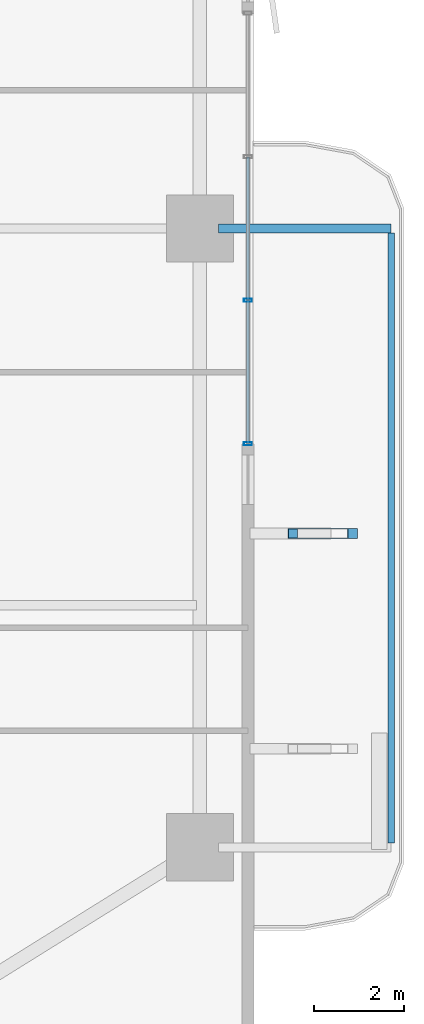
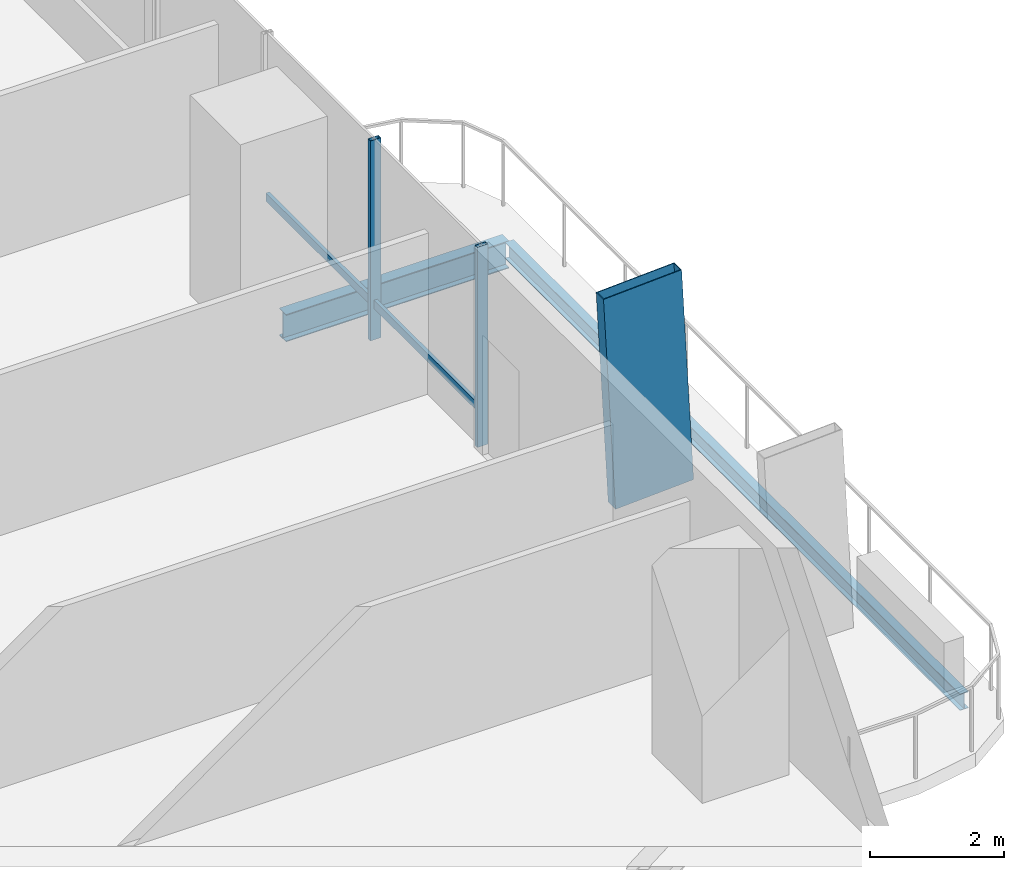
# One storey, part 8 of 23: 5 members, 2 beams, 1 element without a shape of its own.
"""IFC4 building model written with IfcOpenShell, lengths in metres."""

from ifc_helpers import new_model, si_unit, direction, frame, origin, origin_2d, place, context, subcontext, project, spatial, hollow_rectangle, i_section, extrude, material, layer, layer_set, material_profile, profile_set, type_object, element, aggregate, save


model = new_model("IFC4")

# Units and contexts
model_context = context("Model", 3, precision=1e-05, world=origin(), true_north=direction((0.0, 1.0)))
body_context = subcontext(model_context, "Body", "Model", "MODEL_VIEW")
ifc_project = project(units=[si_unit("LENGTHUNIT", "METRE"), si_unit("AREAUNIT", "SQUARE_METRE"), si_unit("VOLUMEUNIT", "CUBIC_METRE"), si_unit("PLANEANGLEUNIT", "RADIAN"), si_unit("MASSUNIT", "GRAM", prefix="KILO")], contexts=[model_context])

# Site, building, storey
site_placement = place(None, origin())
site = spatial("IfcSite", under=ifc_project, at=site_placement, CompositionType="ELEMENT")
building_placement = place(site_placement, origin())
building = spatial("IfcBuilding", under=site, at=building_placement, Name="Belovzor Exchange Tower", CompositionType="ELEMENT")
storey_placement = place(building_placement, frame((0.0, 0.0, 65.10009765625)))
storey = spatial("IfcBuildingStorey", under=building, at=storey_placement, Name="L15", CompositionType="ELEMENT", Elevation=65.10009765625)

# Member
ifc_material_1 = material(Name="Extruded Architectural Terracotta on Steel S355 Carrier", Category="masonry")
ifc_material_profile_1 = material_profile(ifc_material_1, hollow_rectangle(XDim=0.219970703125, YDim=1.35009765625, WallThickness=0.013916015625, at=origin_2d()))
ifc_profile_set_1 = profile_set([ifc_material_profile_1], Name="Extruded Architectural Terracotta on Steel S355 Carrier")
member_type_1 = type_object("IfcMemberType", Name="Base Arc Sweeping Terracotta Pylon Fin 1450", PredefinedType="USERDEFINED", material=ifc_profile_set_1)
member_1_placement = place(storey_placement, frame((58.339111328125, 22.0, -0.25), z_axis=(-0.053011620344, 0.0, 0.998593895489), x_axis=(0.0, -1.0, 0.0)))
element("IfcMember", 1, at=member_1_placement, inside=storey, type_object=member_type_1, Name="FIN-TC145 Terracotta Facade Fin L15 E2", ObjectType="FIN", PredefinedType="USERDEFINED", context=body_context, shape_type="SweptSolid", body=[
    extrude(hollow_rectangle(XDim=0.219970703125, YDim=1.35009765625, WallThickness=0.013916015625, at=origin_2d()), origin(), (0.0, 0.0, 1.0), 3.9052734375),
])

# Beams
ifc_material_2 = material(Name="Steel S355", Category="steel")
ifc_material_profile_2 = material_profile(ifc_material_2, i_section(OverallWidth=0.199951171875, OverallDepth=0.5, WebThickness=0.01025390625, FlangeThickness=0.01611328125, at=origin_2d()))
ifc_profile_set_2 = profile_set([ifc_material_profile_2], Name="Steel S355")
beam_type_1 = type_object("IfcBeamType", Name="Planted Balcony Cantilever Beam IPE 500", PredefinedType="BEAM", material=ifc_profile_set_2)
beam_1_placement = place(storey_placement, frame((55.9130859375, 28.800048828125, -0.5), z_axis=(1.0, 0.0, 0.0), x_axis=(0.0, 1.0, 0.0)))
element("IfcBeam", 2, at=beam_1_placement, inside=storey, type_object=beam_type_1, Name="BC-500 Planted Balcony Cantilever Beam IPE 500", PredefinedType="BEAM", context=body_context, shape_type="SweptSolid", body=[
    extrude(i_section(OverallWidth=0.199951171875, OverallDepth=0.5, WebThickness=0.01025390625, FlangeThickness=0.01611328125, at=origin_2d()), origin(), (0.0, 0.0, 1.0), 3.849853515625),
])
ifc_material_3 = material(Name="Steel S355", Category="steel")
ifc_material_profile_3 = material_profile(ifc_material_3, i_section(OverallWidth=0.14990234375, OverallDepth=0.300048828125, WebThickness=0.007080078125, FlangeThickness=0.0107421875, at=origin_2d()))
ifc_profile_set_3 = profile_set([ifc_material_profile_3], Name="Steel S355")
beam_type_2 = type_object("IfcBeamType", Name="Planted Balcony Fascia Edge Beam IPE 300", PredefinedType="BEAM", material=ifc_profile_set_3)
beam_2_placement = place(storey_placement, frame((59.762939453125, 15.10009765625, -0.400146484375), z_axis=(0.0, 1.0, 0.0), x_axis=(-1.0, 0.0, 0.0)))
element("IfcBeam", 3, at=beam_2_placement, inside=storey, type_object=beam_type_2, Name="BC-300 Planted Balcony Fascia Edge Beam IPE 300", PredefinedType="BEAM", context=body_context, shape_type="SweptSolid", body=[
    extrude(i_section(OverallWidth=0.14990234375, OverallDepth=0.300048828125, WebThickness=0.007080078125, FlangeThickness=0.0107421875, at=origin_2d()), origin(), (0.0, 0.0, 1.0), 13.599853515625),
])

# Curtain wall, members
ifc_material_4 = material(Name="Anodised Aluminium Framing", Category="aluminium")
ifc_layer = layer(ifc_material_4, 0.179931640625)
ifc_layer_set = layer_set([ifc_layer], Name="Anodised Aluminium Framing")
curtain_wall_type = type_object("IfcCurtainWallType", Name="Recessed Loggia Low-Iron Triple-Glazed Curtain Wall", PredefinedType="NOTDEFINED", material=ifc_layer_set)
curtain_wall_placement = place(storey_placement, origin())
curtain_wall = element("IfcCurtainWall", 4, at=curtain_wall_placement, inside=storey, type_object=curtain_wall_type, Name="CW3 Recessed Loggia Low-Iron Triple-Glazed Curtain Wall L15", PredefinedType="NOTDEFINED")
ifc_material_5 = material(Name="Steel S355", Category="steel")
ifc_material_profile_4 = material_profile(ifc_material_5, hollow_rectangle(XDim=0.074951171875, YDim=0.179931640625, WallThickness=0.0048828125, at=origin_2d()))
ifc_profile_set_4 = profile_set([ifc_material_profile_4], Name="Steel S355")
member_type_2 = type_object("IfcMemberType", Name="Thermally Broken Curtain Wall Mullion 180x75", PredefinedType="MULLION", material=ifc_profile_set_4)
member_2_placement = place(storey_placement, frame((56.570068359375, 27.199951171875, 0.0), z_axis=(0.0, 0.0, 1.0), x_axis=(0.0, -1.0, 0.0)))
member_2 = element("IfcMember", 5, at=member_2_placement, type_object=member_type_2, Name="CW-M180 Curtain Wall Mullion 3", PredefinedType="MULLION", context=body_context, shape_type="SweptSolid", body=[
    extrude(hollow_rectangle(XDim=0.074951171875, YDim=0.179931640625, WallThickness=0.0048828125, at=origin_2d()), origin(), (0.0, 0.0, 1.0), 3.64990234375),
])
member_3_placement = place(storey_placement, frame((56.570068359375, 24.0, 0.0), z_axis=(0.0, 0.0, 1.0), x_axis=(0.0, -1.0, 0.0)))
member_3 = element("IfcMember", 6, at=member_3_placement, type_object=member_type_2, Name="CW-M180 Curtain Wall Mullion 4", PredefinedType="MULLION", context=body_context, shape_type="SweptSolid", body=[
    extrude(hollow_rectangle(XDim=0.074951171875, YDim=0.179931640625, WallThickness=0.0048828125, at=origin_2d()), origin(), (0.0, 0.0, 1.0), 3.64990234375),
])
ifc_material_6 = material(Name="Steel S355", Category="steel")
ifc_material_profile_5 = material_profile(ifc_material_6, hollow_rectangle(XDim=0.06005859375, YDim=0.14990234375, WallThickness=0.00390625, at=origin_2d()))
ifc_profile_set_5 = profile_set([ifc_material_profile_5], Name="Steel S355")
member_type_3 = type_object("IfcMemberType", Name="Thermally Broken Curtain Wall Transom 150x60", PredefinedType="USERDEFINED", material=ifc_profile_set_5)
member_4_placement = place(storey_placement, frame((56.570068359375, 30.39208984375, 0.64990234375), z_axis=(0.0, -1.0, 0.0), x_axis=(1.0, 0.0, 0.0)))
member_4 = element("IfcMember", 7, at=member_4_placement, type_object=member_type_3, Name="CW-T150 Curtain Wall Transom 2", ObjectType="TRANSOM", PredefinedType="USERDEFINED", context=body_context, shape_type="SweptSolid", body=[
    extrude(hollow_rectangle(XDim=0.06005859375, YDim=0.14990234375, WallThickness=0.00390625, at=origin_2d()), origin(), (0.0, 0.0, 1.0), 3.18408203125),
])
member_5_placement = place(storey_placement, frame((56.570068359375, 27.19189453125, 0.64990234375), z_axis=(0.0, -1.0, 0.0), x_axis=(1.0, 0.0, 0.0)))
member_5 = element("IfcMember", 8, at=member_5_placement, type_object=member_type_3, Name="CW-T150 Curtain Wall Transom 3", ObjectType="TRANSOM", PredefinedType="USERDEFINED", context=body_context, shape_type="SweptSolid", body=[
    extrude(hollow_rectangle(XDim=0.06005859375, YDim=0.14990234375, WallThickness=0.00390625, at=origin_2d()), origin(), (0.0, 0.0, 1.0), 3.183837890625),
])
aggregate(curtain_wall, [member_2, member_3, member_4, member_5])

save(model, "model.ifc")
